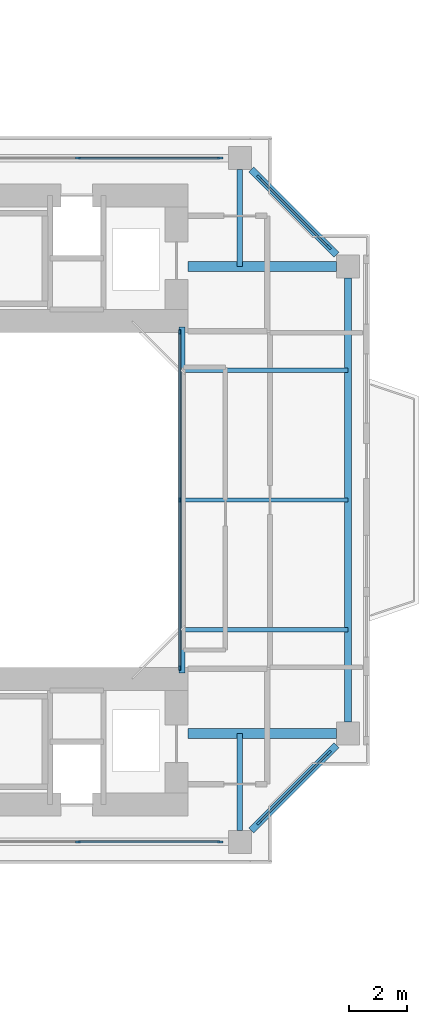
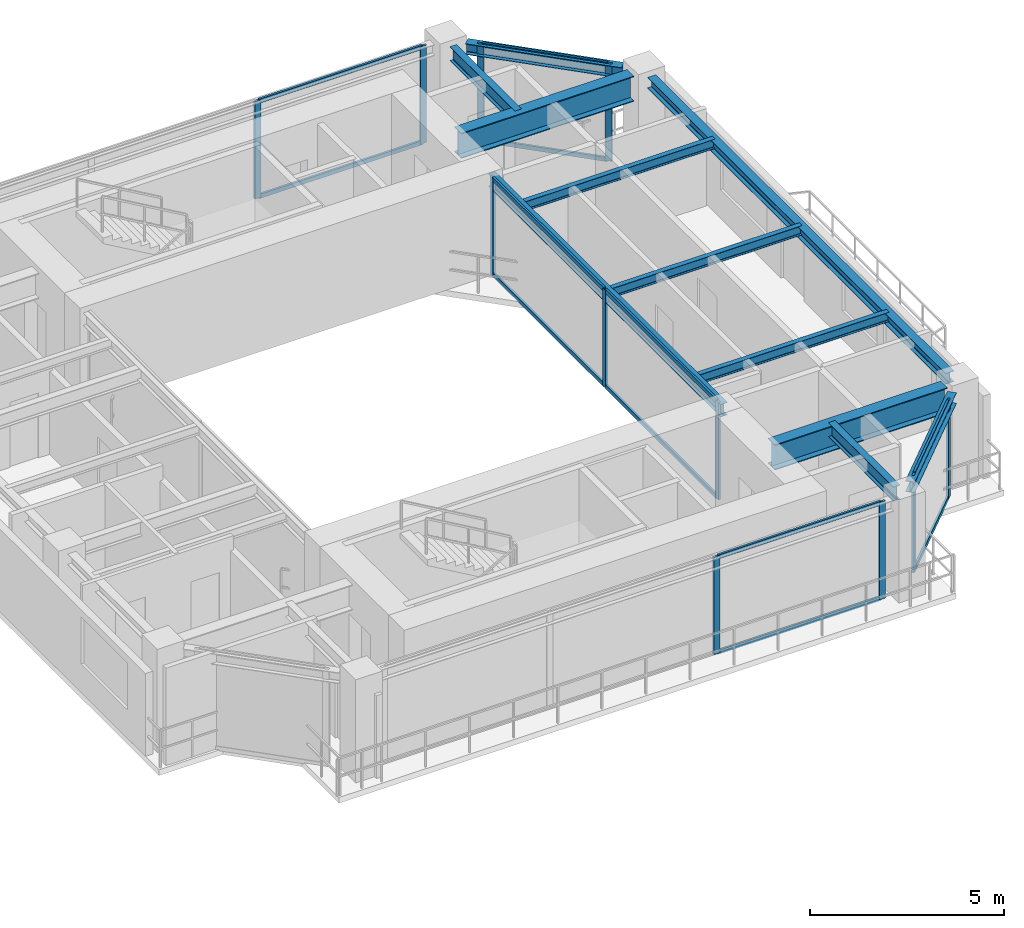
# One storey, part 11 of 23: 23 members, 11 beams, 5 elements without a shape of their own.
"""IFC4 building model written with IfcOpenShell, lengths in metres."""

from ifc_helpers import new_model, si_unit, direction, frame, origin, origin_2d, place, context, subcontext, project, spatial, rectangle, i_section, extrude, source, transform, mapped, material, layer, layer_set, material_profile, profile_set, type_object, element, aggregate, save


model = new_model("IFC4")

# Units and contexts
model_context = context("Model", 3, precision=1e-05, world=origin(), true_north=direction((0.0, 1.0)))
body_context = subcontext(model_context, "Body", "Model", "MODEL_VIEW")
ifc_project = project(units=[si_unit("LENGTHUNIT", "METRE"), si_unit("AREAUNIT", "SQUARE_METRE"), si_unit("VOLUMEUNIT", "CUBIC_METRE"), si_unit("PLANEANGLEUNIT", "RADIAN"), si_unit("MASSUNIT", "GRAM", prefix="KILO"), si_unit("THERMODYNAMICTEMPERATUREUNIT", "KELVIN"), si_unit("POWERUNIT", "WATT")], contexts=[model_context])

# Site, building, storey
site_placement = place(None, origin())
site = spatial("IfcSite", under=ifc_project, at=site_placement, CompositionType="ELEMENT")
building_placement = place(site_placement, origin())
building = spatial("IfcBuilding", under=site, at=building_placement, Name="Qiaomeng Ring Towers", CompositionType="ELEMENT")
storey_placement = place(building_placement, frame((0.0, 0.0, 79.5)))
storey = spatial("IfcBuildingStorey", under=building, at=storey_placement, Name="L22", CompositionType="ELEMENT", Elevation=79.5)

# Beams
ifc_material_1 = material(Name="Steel Q355B", Category="steel")
ifc_material_profile_1 = material_profile(ifc_material_1, i_section(OverallWidth=0.199951171875, OverallDepth=0.39990234375, WebThickness=0.008056640625, FlangeThickness=0.012939453125, FilletRadius=0.01611328125, at=origin_2d()), Name="HN 400x200x8x13")
ifc_profile_set_1 = profile_set([ifc_material_profile_1], Name="Steel Q355B")
beam_type_1 = type_object("IfcBeamType", Name="STR-BM-HN400", PredefinedType="SPANDREL", material=ifc_profile_set_1)
shared_shape_1 = source(origin(), body_context, "Body", "SweptSolid", [
    extrude(i_section(OverallWidth=0.199951171875, OverallDepth=0.39990234375, WebThickness=0.008056640625, FlangeThickness=0.012939453125, FilletRadius=0.01611328125, at=origin_2d()), origin(), (0.0, 0.0, 1.0), 12.0),
])
beam_1_placement = place(storey_placement, frame((66.60009765625, 17.0, 2.8701171875), z_axis=(0.0, 1.0, 0.0), x_axis=(-1.0, 0.0, 0.0)))
element("IfcBeam", 1, at=beam_1_placement, inside=storey, type_object=beam_type_1, Name="L22 beam STR-BM-L22-T2-WELL-E", PredefinedType="SPANDREL", context=body_context, shape_type="MappedRepresentation", body=[
    mapped(shared_shape_1, transform((0.0, 0.0, 0.0), x_axis=(1.0, 0.0, 0.0), y_axis=(0.0, 1.0, 0.0), z_axis=(0.0, 0.0, 1.0), scale=1.0)),
])
ifc_material_profile_2 = material_profile(ifc_material_1, i_section(OverallWidth=0.25, OverallDepth=0.340087890625, WebThickness=0.009033203125, FlangeThickness=0.013916015625, FilletRadius=0.02001953125, at=origin_2d()), Name="HM 340x250x9x14")
ifc_profile_set_2 = profile_set([ifc_material_profile_2], Name="Steel Q355B")
beam_type_2 = type_object("IfcBeamType", Name="STR-BM-HM340", PredefinedType="SPANDREL", material=ifc_profile_set_2)
shared_shape_2 = source(origin(), body_context, "Body", "SweptSolid", [
    extrude(i_section(OverallWidth=0.25, OverallDepth=0.340087890625, WebThickness=0.009033203125, FlangeThickness=0.013916015625, FilletRadius=0.02001953125, at=origin_2d()), origin(), (0.0, 0.0, 1.0), 15.40185546875),
])
beam_2_placement = place(storey_placement, frame((72.35009765625, 15.299072265625, 2.89990234375), z_axis=(0.0, 1.0, 0.0), x_axis=(-1.0, 0.0, 0.0)))
element("IfcBeam", 2, at=beam_2_placement, inside=storey, type_object=beam_type_2, Name="L22 beam STR-SP-L22-T2-E1-E2", PredefinedType="SPANDREL", context=body_context, shape_type="MappedRepresentation", body=[
    mapped(shared_shape_2, transform((0.0, 0.0, 0.0), x_axis=(1.0, 0.0, 0.0), y_axis=(0.0, 1.0, 0.0), z_axis=(0.0, 0.0, 1.0), scale=1.0)),
])
shared_shape_3 = source(origin(), body_context, "Body", "SweptSolid", [
    extrude(i_section(OverallWidth=0.25, OverallDepth=0.340087890625, WebThickness=0.009033203125, FlangeThickness=0.013916015625, FilletRadius=0.02001953125, at=origin_2d()), origin(), (0.0, 0.0, 1.0), 4.173828125),
])
for number, where, z_axis, x_axis, name in (
    (3, (68.999267578125, 11.54931640625, 2.89990234375), (0.707106781187, 0.707106781187, 0.0), (-0.707106781187, 0.707106781187, 0.0), "L22 beam STR-SP-L22-T2-S2-E1"),
    (4, (71.95068359375, 31.499267578125, 2.89990234375), (-0.707106781187, 0.707106781187, 0.0), (-0.707106781187, -0.707106781187, 0.0), "L22 beam STR-SP-L22-T2-E2-N2"),
):
    element("IfcBeam", number, at=place(storey_placement, frame(where, z_axis=z_axis, x_axis=x_axis)), inside=storey, type_object=beam_type_2, Name=name, PredefinedType="SPANDREL", context=body_context, shape_type="MappedRepresentation", body=[
        mapped(shared_shape_3, transform((0.0, 0.0, 0.0), x_axis=(1.0, 0.0, 0.0), y_axis=(0.0, 1.0, 0.0), z_axis=(0.0, 0.0, 1.0), scale=1.0)),
    ])
ifc_material_2 = material(Name="Steel Q390GJC", Category="steel")
ifc_material_profile_3 = material_profile(ifc_material_2, i_section(OverallWidth=0.35009765625, OverallDepth=0.800048828125, WebThickness=0.01611328125, FlangeThickness=0.028076171875, at=origin_2d()), Name="WH 800x350x16x28")
ifc_profile_set_3 = profile_set([ifc_material_profile_3], Name="Steel Q390GJC")
beam_type_3 = type_object("IfcBeamType", Name="STR-BM-WH800", PredefinedType="BEAM", material=ifc_profile_set_3)
shared_shape_4 = source(origin(), body_context, "Body", "SweptSolid", [
    extrude(i_section(OverallWidth=0.35009765625, OverallDepth=0.800048828125, WebThickness=0.01611328125, FlangeThickness=0.028076171875, at=origin_2d()), origin(), (0.0, 0.0, 1.0), 5.15087890625),
])
for number, where, z_axis, x_axis, name in (
    (5, (66.800048828125, 14.89990234375, 2.669921875), (1.0, 0.0, 0.0), (0.0, 1.0, 0.0), "L22 beam STR-BM-L22-T2-RAD-E1"),
    (6, (66.800048828125, 31.10009765625, 2.669921875), (1.0, 0.0, 0.0), (0.0, 1.0, 0.0), "L22 beam STR-BM-L22-T2-RAD-E2"),
):
    element("IfcBeam", number, at=place(storey_placement, frame(where, z_axis=z_axis, x_axis=x_axis)), inside=storey, type_object=beam_type_3, Name=name, PredefinedType="BEAM", context=body_context, shape_type="MappedRepresentation", body=[
        mapped(shared_shape_4, transform((0.0, 0.0, 0.0), x_axis=(1.0, 0.0, 0.0), y_axis=(0.0, 1.0, 0.0), z_axis=(0.0, 0.0, 1.0), scale=1.0)),
    ])
ifc_material_profile_4 = material_profile(ifc_material_1, i_section(OverallWidth=0.199951171875, OverallDepth=0.449951171875, WebThickness=0.009033203125, FlangeThickness=0.013916015625, FilletRadius=0.01806640625, at=origin_2d()), Name="HN 450x200x9x14")
ifc_profile_set_4 = profile_set([ifc_material_profile_4], Name="Steel Q355B")
beam_type_4 = type_object("IfcBeamType", Name="STR-BM-HN450", PredefinedType="SPANDREL", material=ifc_profile_set_4)
shared_shape_5 = source(origin(), body_context, "Body", "SweptSolid", [
    extrude(i_section(OverallWidth=0.199951171875, OverallDepth=0.449951171875, WebThickness=0.009033203125, FlangeThickness=0.013916015625, FilletRadius=0.01806640625, at=origin_2d()), origin(), (0.0, 0.0, 1.0), 3.350830078125),
])
for number, where, z_axis, x_axis, name in (
    (7, (68.60009765625, 34.450927734375, 2.844970703125), (0.0, -1.0, 0.0), (1.0, 0.0, 0.0), "L22 beam STR-BM-L22-T2-RAD-N2"),
    (8, (68.60009765625, 11.549072265625, 2.844970703125), (0.0, 1.0, 0.0), (-1.0, 0.0, 0.0), "L22 beam STR-BM-L22-T2-RAD-S2"),
):
    element("IfcBeam", number, at=place(storey_placement, frame(where, z_axis=z_axis, x_axis=x_axis)), inside=storey, type_object=beam_type_4, Name=name, PredefinedType="SPANDREL", context=body_context, shape_type="MappedRepresentation", body=[
        mapped(shared_shape_5, transform((0.0, 0.0, 0.0), x_axis=(1.0, 0.0, 0.0), y_axis=(0.0, 1.0, 0.0), z_axis=(0.0, 0.0, 1.0), scale=1.0)),
    ])
ifc_material_profile_5 = material_profile(ifc_material_1, i_section(OverallWidth=0.14990234375, OverallDepth=0.300048828125, WebThickness=0.006591796875, FlangeThickness=0.009033203125, FilletRadius=0.012939453125, at=origin_2d()), Name="HN 300x150x6.5x9")
ifc_profile_set_5 = profile_set([ifc_material_profile_5], Name="Steel Q355B")
beam_type_5 = type_object("IfcBeamType", Name="STR-BM-HN300", PredefinedType="JOIST", material=ifc_profile_set_5)
shared_shape_6 = source(origin(), body_context, "Body", "SweptSolid", [
    extrude(i_section(OverallWidth=0.14990234375, OverallDepth=0.300048828125, WebThickness=0.006591796875, FlangeThickness=0.009033203125, FilletRadius=0.012939453125, at=origin_2d()), origin(), (0.0, 0.0, 1.0), 5.75),
])
for number, where, z_axis, x_axis, name in (
    (9, (66.60009765625, 18.5, 2.919921875), (1.0, 0.0, 0.0), (0.0, 1.0, 0.0), "L22 beam STR-JST-L22-T2E-1"),
    (10, (66.60009765625, 23.0, 2.919921875), (1.0, 0.0, 0.0), (0.0, 1.0, 0.0), "L22 beam STR-JST-L22-T2E-2"),
    (11, (66.60009765625, 27.5, 2.919921875), (1.0, 0.0, 0.0), (0.0, 1.0, 0.0), "L22 beam STR-JST-L22-T2E-3"),
):
    element("IfcBeam", number, at=place(storey_placement, frame(where, z_axis=z_axis, x_axis=x_axis)), inside=storey, type_object=beam_type_5, Name=name, PredefinedType="JOIST", context=body_context, shape_type="MappedRepresentation", body=[
        mapped(shared_shape_6, transform((0.0, 0.0, 0.0), x_axis=(1.0, 0.0, 0.0), y_axis=(0.0, 1.0, 0.0), z_axis=(0.0, 0.0, 1.0), scale=1.0)),
    ])

# Curtain wall, members
ifc_material_3 = material(Name="Fluorocarbon dark-grey aluminium", Category="aluminium")
ifc_layer_1 = layer(ifc_material_3, 0.139892578125, Name="Fluorocarbon dark-grey aluminium")
ifc_layer_set_1 = layer_set([ifc_layer_1], Name="Fluorocarbon dark-grey aluminium")
curtain_wall_type_1 = type_object("IfcCurtainWallType", Name="ARC-CW-4", PredefinedType="NOTDEFINED", material=ifc_layer_set_1)
curtain_wall_1_placement = place(storey_placement, origin())
curtain_wall_1 = element("IfcCurtainWall", 12, at=curtain_wall_1_placement, inside=storey, type_object=curtain_wall_type_1, Name="L22 Curtain Wall CW4", PredefinedType="NOTDEFINED")
ifc_material_profile_6 = material_profile(ifc_material_3, rectangle(XDim=0.06494140625, YDim=0.159912109375, at=origin_2d()), Name="ALU MULL 65x160")
ifc_profile_set_6 = profile_set([ifc_material_profile_6], Name="Fluorocarbon dark-grey aluminium")
member_type_1 = type_object("IfcMemberType", Name="ARC-CWM-140", PredefinedType="MULLION", material=ifc_profile_set_6)
shared_shape_7 = source(origin(), body_context, "Body", "SweptSolid", [
    extrude(rectangle(XDim=0.06494140625, YDim=0.159912109375, at=origin_2d()), origin(), (0.0, 0.0, 1.0), 3.070068359375),
])
member_1_placement = place(storey_placement, frame((66.52001953125, 17.1826171875, 0.0), z_axis=(0.0, 0.0, 1.0), x_axis=(-1.0, 0.0, 0.0)))
member_1 = element("IfcMember", 13, at=member_1_placement, type_object=member_type_1, Name="CW4 mullion 1", PredefinedType="MULLION", context=body_context, shape_type="MappedRepresentation", body=[
    mapped(shared_shape_7, transform((0.0, 0.0, 0.0), x_axis=(1.0, 0.0, 0.0), y_axis=(0.0, 1.0, 0.0), z_axis=(0.0, 0.0, 1.0), scale=1.0)),
])
member_2_placement = place(storey_placement, frame((66.52001953125, 23.0, 0.0), z_axis=(0.0, 0.0, 1.0), x_axis=(-1.0, 0.0, 0.0)))
member_2 = element("IfcMember", 14, at=member_2_placement, type_object=member_type_1, Name="CW4 mullion 2", PredefinedType="MULLION", context=body_context, shape_type="MappedRepresentation", body=[
    mapped(shared_shape_7, transform((0.0, 0.0, 0.0), x_axis=(1.0, 0.0, 0.0), y_axis=(0.0, 1.0, 0.0), z_axis=(0.0, 0.0, 1.0), scale=1.0)),
])
member_3_placement = place(storey_placement, frame((66.52001953125, 28.8173828125, 0.0), z_axis=(0.0, 0.0, 1.0), x_axis=(-1.0, 0.0, 0.0)))
member_3 = element("IfcMember", 15, at=member_3_placement, type_object=member_type_1, Name="CW4 mullion 3", PredefinedType="MULLION", context=body_context, shape_type="MappedRepresentation", body=[
    mapped(shared_shape_7, transform((0.0, 0.0, 0.0), x_axis=(1.0, 0.0, 0.0), y_axis=(0.0, 1.0, 0.0), z_axis=(0.0, 0.0, 1.0), scale=1.0)),
])
ifc_material_profile_7 = material_profile(ifc_material_3, rectangle(XDim=0.06494140625, YDim=0.1298828125, at=origin_2d()), Name="ALU TRAN 65x130")
ifc_profile_set_7 = profile_set([ifc_material_profile_7], Name="Fluorocarbon dark-grey aluminium")
member_type_2 = type_object("IfcMemberType", Name="ARC-CWT-120", PredefinedType="USERDEFINED", material=ifc_profile_set_7)
shared_shape_8 = source(origin(), body_context, "Body", "SweptSolid", [
    extrude(rectangle(XDim=0.06494140625, YDim=0.1298828125, at=origin_2d()), origin(), (0.0, 0.0, 1.0), 5.75244140625),
])
member_4_placement = place(storey_placement, frame((66.52001953125, 17.215087890625, 0.032470703125), z_axis=(0.0, 1.0, 0.0), x_axis=(-1.0, 0.0, 0.0)))
member_4 = element("IfcMember", 16, at=member_4_placement, type_object=member_type_2, Name="CW4 transom 1.1", ObjectType="TRANSOM", PredefinedType="USERDEFINED", context=body_context, shape_type="MappedRepresentation", body=[
    mapped(shared_shape_8, transform((0.0, 0.0, 0.0), x_axis=(1.0, 0.0, 0.0), y_axis=(0.0, 1.0, 0.0), z_axis=(0.0, 0.0, 1.0), scale=1.0)),
])
member_5_placement = place(storey_placement, frame((66.52001953125, 17.215087890625, 3.03759765625), z_axis=(0.0, 1.0, 0.0), x_axis=(-1.0, 0.0, 0.0)))
member_5 = element("IfcMember", 17, at=member_5_placement, type_object=member_type_2, Name="CW4 transom 1.2", ObjectType="TRANSOM", PredefinedType="USERDEFINED", context=body_context, shape_type="MappedRepresentation", body=[
    mapped(shared_shape_8, transform((0.0, 0.0, 0.0), x_axis=(1.0, 0.0, 0.0), y_axis=(0.0, 1.0, 0.0), z_axis=(0.0, 0.0, 1.0), scale=1.0)),
])
member_6_placement = place(storey_placement, frame((66.52001953125, 23.032470703125, 0.032470703125), z_axis=(0.0, 1.0, 0.0), x_axis=(-1.0, 0.0, 0.0)))
member_6 = element("IfcMember", 18, at=member_6_placement, type_object=member_type_2, Name="CW4 transom 2.1", ObjectType="TRANSOM", PredefinedType="USERDEFINED", context=body_context, shape_type="MappedRepresentation", body=[
    mapped(shared_shape_8, transform((0.0, 0.0, 0.0), x_axis=(1.0, 0.0, 0.0), y_axis=(0.0, 1.0, 0.0), z_axis=(0.0, 0.0, 1.0), scale=1.0)),
])
member_7_placement = place(storey_placement, frame((66.52001953125, 23.032470703125, 3.03759765625), z_axis=(0.0, 1.0, 0.0), x_axis=(-1.0, 0.0, 0.0)))
member_7 = element("IfcMember", 19, at=member_7_placement, type_object=member_type_2, Name="CW4 transom 2.2", ObjectType="TRANSOM", PredefinedType="USERDEFINED", context=body_context, shape_type="MappedRepresentation", body=[
    mapped(shared_shape_8, transform((0.0, 0.0, 0.0), x_axis=(1.0, 0.0, 0.0), y_axis=(0.0, 1.0, 0.0), z_axis=(0.0, 0.0, 1.0), scale=1.0)),
])
aggregate(curtain_wall_1, [member_1, member_2, member_3, member_4, member_5, member_6, member_7])

ifc_layer_2 = layer(ifc_material_3, 0.14990234375, Name="Fluorocarbon dark-grey aluminium")
ifc_layer_set_2 = layer_set([ifc_layer_2], Name="Fluorocarbon dark-grey aluminium")
curtain_wall_type_2 = type_object("IfcCurtainWallType", Name="ARC-CW-5", PredefinedType="NOTDEFINED", material=ifc_layer_set_2)
curtain_wall_2_placement = place(storey_placement, origin())
curtain_wall_2 = element("IfcCurtainWall", 20, at=curtain_wall_2_placement, inside=storey, type_object=curtain_wall_type_2, Name="L22 Curtain Wall CW5", PredefinedType="NOTDEFINED")
ifc_material_profile_8 = material_profile(ifc_material_3, rectangle(XDim=0.070068359375, YDim=0.179931640625, at=origin_2d()), Name="ALU MULL 70x180")
ifc_profile_set_8 = profile_set([ifc_material_profile_8], Name="Fluorocarbon dark-grey aluminium")
member_type_3 = type_object("IfcMemberType", Name="ARC-CWM-160", PredefinedType="MULLION", material=ifc_profile_set_8)
shared_shape_9 = source(origin(), body_context, "Body", "SweptSolid", [
    extrude(rectangle(XDim=0.070068359375, YDim=0.179931640625, at=origin_2d()), origin(), (0.0, 0.0, 1.0), 3.070068359375),
])
member_8_placement = place(storey_placement, frame((62.986572265625, 34.85009765625, 0.0), z_axis=(0.0, 0.0, 1.0), x_axis=(0.0, 1.0, 0.0)))
member_8 = element("IfcMember", 21, at=member_8_placement, type_object=member_type_3, Name="CW5 mullion 3", PredefinedType="MULLION", context=body_context, shape_type="MappedRepresentation", body=[
    mapped(shared_shape_9, transform((0.0, 0.0, 0.0), x_axis=(1.0, 0.0, 0.0), y_axis=(0.0, 1.0, 0.0), z_axis=(0.0, 0.0, 1.0), scale=1.0)),
])
member_9_placement = place(storey_placement, frame((67.925048828125, 34.85009765625, 0.0), z_axis=(0.0, 0.0, 1.0), x_axis=(0.0, 1.0, 0.0)))
member_9 = element("IfcMember", 22, at=member_9_placement, type_object=member_type_3, Name="CW5 mullion 4", PredefinedType="MULLION", context=body_context, shape_type="MappedRepresentation", body=[
    mapped(shared_shape_9, transform((0.0, 0.0, 0.0), x_axis=(1.0, 0.0, 0.0), y_axis=(0.0, 1.0, 0.0), z_axis=(0.0, 0.0, 1.0), scale=1.0)),
])

curtain_wall_3_placement = place(storey_placement, origin())
curtain_wall_3 = element("IfcCurtainWall", 23, at=curtain_wall_3_placement, inside=storey, type_object=curtain_wall_type_2, Name="L22 Curtain Wall CW5", PredefinedType="NOTDEFINED")
member_10_placement = place(storey_placement, frame((69.2646484375, 11.814697265625, 0.0), z_axis=(0.0, 0.0, 1.0), x_axis=(-0.707106781187, 0.707106781187, 0.0)))
member_10 = element("IfcMember", 24, at=member_10_placement, type_object=member_type_3, Name="CW5 mullion 1", PredefinedType="MULLION", context=body_context, shape_type="MappedRepresentation", body=[
    mapped(shared_shape_9, transform((0.0, 0.0, 0.0), x_axis=(1.0, 0.0, 0.0), y_axis=(0.0, 1.0, 0.0), z_axis=(0.0, 0.0, 1.0), scale=1.0)),
])
member_11_placement = place(storey_placement, frame((71.685302734375, 14.2353515625, 0.0), z_axis=(0.0, 0.0, 1.0), x_axis=(-0.707106781187, 0.707106781187, 0.0)))
member_11 = element("IfcMember", 25, at=member_11_placement, type_object=member_type_3, Name="CW5 mullion 2", PredefinedType="MULLION", context=body_context, shape_type="MappedRepresentation", body=[
    mapped(shared_shape_9, transform((0.0, 0.0, 0.0), x_axis=(1.0, 0.0, 0.0), y_axis=(0.0, 1.0, 0.0), z_axis=(0.0, 0.0, 1.0), scale=1.0)),
])

curtain_wall_4_placement = place(storey_placement, origin())
curtain_wall_4 = element("IfcCurtainWall", 26, at=curtain_wall_4_placement, inside=storey, type_object=curtain_wall_type_2, Name="L22 Curtain Wall CW5", PredefinedType="NOTDEFINED")
member_12_placement = place(storey_placement, frame((71.685302734375, 31.7646484375, 0.0), z_axis=(0.0, 0.0, 1.0), x_axis=(-0.707106781187, -0.707106781187, 0.0)))
member_12 = element("IfcMember", 27, at=member_12_placement, type_object=member_type_3, Name="CW5 mullion 1", PredefinedType="MULLION", context=body_context, shape_type="MappedRepresentation", body=[
    mapped(shared_shape_9, transform((0.0, 0.0, 0.0), x_axis=(1.0, 0.0, 0.0), y_axis=(0.0, 1.0, 0.0), z_axis=(0.0, 0.0, 1.0), scale=1.0)),
])
member_13_placement = place(storey_placement, frame((69.2646484375, 34.185302734375, 0.0), z_axis=(0.0, 0.0, 1.0), x_axis=(-0.707106781187, -0.707106781187, 0.0)))
member_13 = element("IfcMember", 28, at=member_13_placement, type_object=member_type_3, Name="CW5 mullion 2", PredefinedType="MULLION", context=body_context, shape_type="MappedRepresentation", body=[
    mapped(shared_shape_9, transform((0.0, 0.0, 0.0), x_axis=(1.0, 0.0, 0.0), y_axis=(0.0, 1.0, 0.0), z_axis=(0.0, 0.0, 1.0), scale=1.0)),
])

curtain_wall_5_placement = place(storey_placement, origin())
curtain_wall_5 = element("IfcCurtainWall", 29, at=curtain_wall_5_placement, inside=storey, type_object=curtain_wall_type_2, Name="L22 Curtain Wall CW5", PredefinedType="NOTDEFINED")
member_14_placement = place(storey_placement, frame((62.986572265625, 11.14990234375, 0.0), z_axis=(0.0, 0.0, 1.0), x_axis=(0.0, 1.0, 0.0)))
member_14 = element("IfcMember", 30, at=member_14_placement, type_object=member_type_3, Name="CW5 mullion 3", PredefinedType="MULLION", context=body_context, shape_type="MappedRepresentation", body=[
    mapped(shared_shape_9, transform((0.0, 0.0, 0.0), x_axis=(1.0, 0.0, 0.0), y_axis=(0.0, 1.0, 0.0), z_axis=(0.0, 0.0, 1.0), scale=1.0)),
])
member_15_placement = place(storey_placement, frame((67.925048828125, 11.14990234375, 0.0), z_axis=(0.0, 0.0, 1.0), x_axis=(0.0, 1.0, 0.0)))
member_15 = element("IfcMember", 31, at=member_15_placement, type_object=member_type_3, Name="CW5 mullion 4", PredefinedType="MULLION", context=body_context, shape_type="MappedRepresentation", body=[
    mapped(shared_shape_9, transform((0.0, 0.0, 0.0), x_axis=(1.0, 0.0, 0.0), y_axis=(0.0, 1.0, 0.0), z_axis=(0.0, 0.0, 1.0), scale=1.0)),
])

# Member
shared_shape_10 = source(origin(), body_context, "Body", "SweptSolid", [
    extrude(rectangle(XDim=0.06494140625, YDim=0.1298828125, at=origin_2d()), origin(), (0.0, 0.0, 1.0), 4.8681640625),
])
member_16_placement = place(storey_placement, frame((63.021728515625, 34.85009765625, 0.032470703125), z_axis=(1.0, 0.0, 0.0), x_axis=(0.0, 1.0, 0.0)))
member_16 = element("IfcMember", 32, at=member_16_placement, type_object=member_type_2, Name="CW5 transom 3.1", ObjectType="TRANSOM", PredefinedType="USERDEFINED", context=body_context, shape_type="MappedRepresentation", body=[
    mapped(shared_shape_10, transform((0.0, 0.0, 0.0), x_axis=(1.0, 0.0, 0.0), y_axis=(0.0, 1.0, 0.0), z_axis=(0.0, 0.0, 1.0), scale=1.0)),
])

member_17_placement = place(storey_placement, frame((63.021728515625, 34.85009765625, 3.03759765625), z_axis=(1.0, 0.0, 0.0), x_axis=(0.0, 1.0, 0.0)))
member_17 = element("IfcMember", 33, at=member_17_placement, type_object=member_type_2, Name="CW5 transom 3.2", ObjectType="TRANSOM", PredefinedType="USERDEFINED", context=body_context, shape_type="MappedRepresentation", body=[
    mapped(shared_shape_10, transform((0.0, 0.0, 0.0), x_axis=(1.0, 0.0, 0.0), y_axis=(0.0, 1.0, 0.0), z_axis=(0.0, 0.0, 1.0), scale=1.0)),
])

aggregate(curtain_wall_2, [member_8, member_9, member_16, member_17])

member_18_placement = place(storey_placement, frame((63.021728515625, 11.14990234375, 0.032470703125), z_axis=(1.0, 0.0, 0.0), x_axis=(0.0, 1.0, 0.0)))
member_18 = element("IfcMember", 34, at=member_18_placement, type_object=member_type_2, Name="CW5 transom 3.1", ObjectType="TRANSOM", PredefinedType="USERDEFINED", context=body_context, shape_type="MappedRepresentation", body=[
    mapped(shared_shape_10, transform((0.0, 0.0, 0.0), x_axis=(1.0, 0.0, 0.0), y_axis=(0.0, 1.0, 0.0), z_axis=(0.0, 0.0, 1.0), scale=1.0)),
])

member_19_placement = place(storey_placement, frame((63.021728515625, 11.14990234375, 3.03759765625), z_axis=(1.0, 0.0, 0.0), x_axis=(0.0, 1.0, 0.0)))
member_19 = element("IfcMember", 35, at=member_19_placement, type_object=member_type_2, Name="CW5 transom 3.2", ObjectType="TRANSOM", PredefinedType="USERDEFINED", context=body_context, shape_type="MappedRepresentation", body=[
    mapped(shared_shape_10, transform((0.0, 0.0, 0.0), x_axis=(1.0, 0.0, 0.0), y_axis=(0.0, 1.0, 0.0), z_axis=(0.0, 0.0, 1.0), scale=1.0)),
])

aggregate(curtain_wall_5, [member_14, member_15, member_18, member_19])

shared_shape_11 = source(origin(), body_context, "Body", "SweptSolid", [
    extrude(rectangle(XDim=0.06494140625, YDim=0.1298828125, at=origin_2d()), origin(), (0.0, 0.0, 1.0), 3.352783203125),
])
member_20_placement = place(storey_placement, frame((69.28955078125, 11.839599609375, 0.032470703125), z_axis=(0.707106781187, 0.707106781187, 0.0), x_axis=(-0.707106781187, 0.707106781187, 0.0)))
member_20 = element("IfcMember", 36, at=member_20_placement, type_object=member_type_2, Name="CW5 transom 1.1", ObjectType="TRANSOM", PredefinedType="USERDEFINED", context=body_context, shape_type="MappedRepresentation", body=[
    mapped(shared_shape_11, transform((0.0, 0.0, 0.0), x_axis=(1.0, 0.0, 0.0), y_axis=(0.0, 1.0, 0.0), z_axis=(0.0, 0.0, 1.0), scale=1.0)),
])

member_21_placement = place(storey_placement, frame((69.28955078125, 11.839599609375, 3.03759765625), z_axis=(0.707106781187, 0.707106781187, 0.0), x_axis=(-0.707106781187, 0.707106781187, 0.0)))
member_21 = element("IfcMember", 37, at=member_21_placement, type_object=member_type_2, Name="CW5 transom 1.2", ObjectType="TRANSOM", PredefinedType="USERDEFINED", context=body_context, shape_type="MappedRepresentation", body=[
    mapped(shared_shape_11, transform((0.0, 0.0, 0.0), x_axis=(1.0, 0.0, 0.0), y_axis=(0.0, 1.0, 0.0), z_axis=(0.0, 0.0, 1.0), scale=1.0)),
])

aggregate(curtain_wall_3, [member_10, member_11, member_20, member_21])

member_22_placement = place(storey_placement, frame((71.660400390625, 31.78955078125, 0.032470703125), z_axis=(-0.707106781187, 0.707106781187, 0.0), x_axis=(-0.707106781187, -0.707106781187, 0.0)))
member_22 = element("IfcMember", 38, at=member_22_placement, type_object=member_type_2, Name="CW5 transom 1.1", ObjectType="TRANSOM", PredefinedType="USERDEFINED", context=body_context, shape_type="MappedRepresentation", body=[
    mapped(shared_shape_11, transform((0.0, 0.0, 0.0), x_axis=(1.0, 0.0, 0.0), y_axis=(0.0, 1.0, 0.0), z_axis=(0.0, 0.0, 1.0), scale=1.0)),
])

member_23_placement = place(storey_placement, frame((71.660400390625, 31.78955078125, 3.03759765625), z_axis=(-0.707106781187, 0.707106781187, 0.0), x_axis=(-0.707106781187, -0.707106781187, 0.0)))
member_23 = element("IfcMember", 39, at=member_23_placement, type_object=member_type_2, Name="CW5 transom 1.2", ObjectType="TRANSOM", PredefinedType="USERDEFINED", context=body_context, shape_type="MappedRepresentation", body=[
    mapped(shared_shape_11, transform((0.0, 0.0, 0.0), x_axis=(1.0, 0.0, 0.0), y_axis=(0.0, 1.0, 0.0), z_axis=(0.0, 0.0, 1.0), scale=1.0)),
])

aggregate(curtain_wall_4, [member_12, member_13, member_22, member_23])

save(model, "model.ifc")
